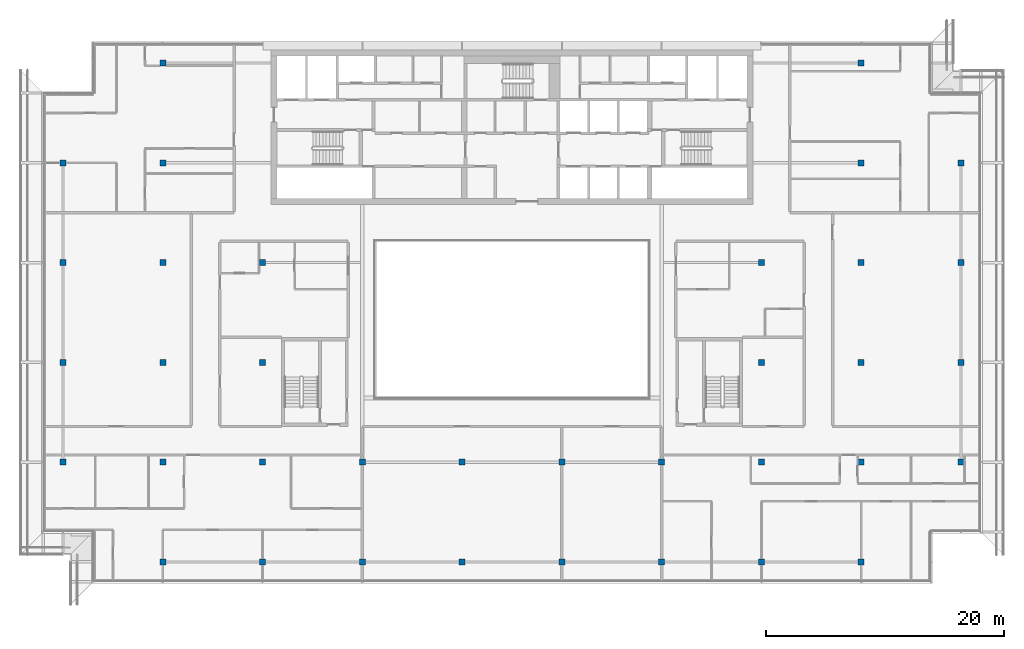
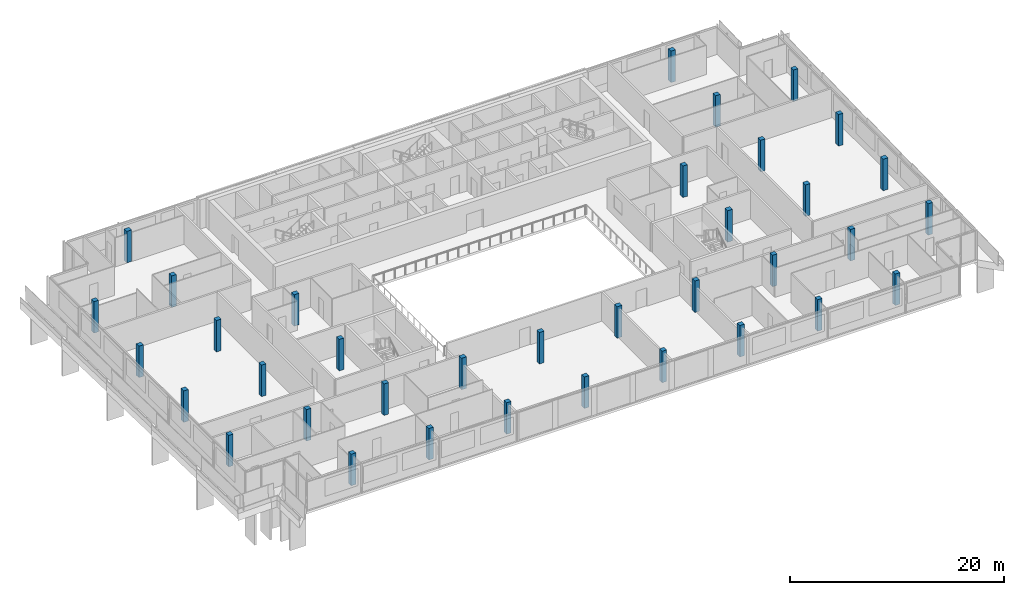
# One storey, part 1 of 27: 36 columns.
"""IFC4 building model written with IfcOpenShell, lengths in metres."""

from ifc_helpers import new_model, si_unit, direction, frame, origin, origin_2d, place, context, subcontext, project, spatial, rectangle, extrude, material, material_profile, profile_set, type_object, element, save


model = new_model("IFC4")

# Units and contexts
model_context = context("Model", 3, precision=1e-05, world=origin(), true_north=direction((0.0, 1.0)))
body_context = subcontext(model_context, "Body", "Model", "MODEL_VIEW")
ifc_project = project(units=[si_unit("LENGTHUNIT", "METRE"), si_unit("AREAUNIT", "SQUARE_METRE"), si_unit("VOLUMEUNIT", "CUBIC_METRE"), si_unit("PLANEANGLEUNIT", "RADIAN"), si_unit("MASSUNIT", "GRAM", prefix="KILO")], contexts=[model_context])

# Site, building, storey
site_placement = place(None, origin())
site = spatial("IfcSite", under=ifc_project, at=site_placement, CompositionType="ELEMENT")
building_placement = place(site_placement, origin())
building = spatial("IfcBuilding", under=site, at=building_placement, Name="Saffron Gate Tower", CompositionType="ELEMENT")
storey_placement = place(building_placement, frame((0.0, 0.0, 267.14990234375)))
storey = spatial("IfcBuildingStorey", under=building, at=storey_placement, Name="L64", CompositionType="ELEMENT", Elevation=267.14990234375)

# Columns
ifc_material = material(Name="Concrete C40", Category="concrete")
ifc_material_profile = material_profile(ifc_material, rectangle(XDim=0.5, YDim=0.5, at=origin_2d()))
ifc_profile_set = profile_set([ifc_material_profile], Name="Concrete C40")
column_type = type_object("IfcColumnType", Name="C1 RC 500x500 CONCRETE C40", PredefinedType="COLUMN", material=ifc_profile_set)
for number, where, z_axis, x_axis, name in (
    (1, (49.800048828125, 40.199951171875, 0.0), (0.0, 0.0, 1.0), (1.0, 0.0, 0.0), "C1 COLUMN X1-B"),
    (2, (49.800048828125, 48.60009765625, 0.0), (0.0, 0.0, 1.0), (1.0, 0.0, 0.0), "C1 COLUMN X1-C"),
    (3, (49.800048828125, 57.0, 0.0), (0.0, 0.0, 1.0), (1.0, 0.0, 0.0), "C1 COLUMN X1-D"),
    (4, (49.800048828125, 65.39990234375, 0.0), (0.0, 0.0, 1.0), (1.0, 0.0, 0.0), "C1 COLUMN X1-E"),
    (5, (58.199951171875, 31.800048828125, 0.0), (0.0, 0.0, 1.0), (1.0, 0.0, 0.0), "C1 COLUMN X2-A"),
    (6, (58.199951171875, 40.199951171875, 0.0), (0.0, 0.0, 1.0), (1.0, 0.0, 0.0), "C1 COLUMN X2-B"),
    (7, (58.199951171875, 48.60009765625, 0.0), (0.0, 0.0, 1.0), (1.0, 0.0, 0.0), "C1 COLUMN X2-C"),
    (8, (58.199951171875, 57.0, 0.0), (0.0, 0.0, 1.0), (1.0, 0.0, 0.0), "C1 COLUMN X2-D"),
    (9, (58.199951171875, 65.39990234375, 0.0), (0.0, 0.0, 1.0), (1.0, 0.0, 0.0), "C1 COLUMN X2-E"),
    (10, (58.199951171875, 73.800048828125, 0.0), (0.0, 0.0, 1.0), (1.0, 0.0, 0.0), "C1 COLUMN X2-F"),
    (11, (66.60009765625, 31.800048828125, 0.0), (0.0, 0.0, 1.0), (1.0, 0.0, 0.0), "C1 COLUMN X3-A"),
    (12, (66.60009765625, 40.199951171875, 0.0), (0.0, 0.0, 1.0), (1.0, 0.0, 0.0), "C1 COLUMN X3-B"),
    (13, (66.60009765625, 48.60009765625, 0.0), (0.0, 0.0, 1.0), (1.0, 0.0, 0.0), "C1 COLUMN X3-C"),
    (14, (66.60009765625, 57.0, 0.0), (0.0, 0.0, 1.0), (1.0, 0.0, 0.0), "C1 COLUMN X3-D"),
    (15, (75.0, 31.800048828125, 0.0), (0.0, 0.0, 1.0), (1.0, 0.0, 0.0), "C1 COLUMN X4-A"),
    (16, (75.0, 40.199951171875, 0.0), (0.0, 0.0, 1.0), (1.0, 0.0, 0.0), "C1 COLUMN X4-B"),
    (17, (83.39990234375, 31.800048828125, 0.0), (0.0, 0.0, 1.0), (1.0, 0.0, 0.0), "C1 COLUMN X5-A"),
    (18, (83.39990234375, 40.199951171875, 0.0), (0.0, 0.0, 1.0), (1.0, 0.0, 0.0), "C1 COLUMN X5-B"),
    (19, (91.800048828125, 31.800048828125, 0.0), (0.0, 0.0, 1.0), (1.0, 0.0, 0.0), "C1 COLUMN X6-A"),
    (20, (91.800048828125, 40.199951171875, 0.0), (0.0, 0.0, 1.0), (1.0, 0.0, 0.0), "C1 COLUMN X6-B"),
    (21, (100.199951171875, 31.800048828125, 0.0), (0.0, 0.0, 1.0), (1.0, 0.0, 0.0), "C1 COLUMN X7-A"),
    (22, (100.199951171875, 40.199951171875, 0.0), (0.0, 0.0, 1.0), (1.0, 0.0, 0.0), "C1 COLUMN X7-B"),
    (23, (108.60009765625, 31.800048828125, 0.0), (0.0, 0.0, 1.0), (1.0, 0.0, 0.0), "C1 COLUMN X8-A"),
    (24, (108.60009765625, 40.199951171875, 0.0), (0.0, 0.0, 1.0), (1.0, 0.0, 0.0), "C1 COLUMN X8-B"),
    (25, (108.60009765625, 48.60009765625, 0.0), (0.0, 0.0, 1.0), (1.0, 0.0, 0.0), "C1 COLUMN X8-C"),
    (26, (108.60009765625, 57.0, 0.0), (0.0, 0.0, 1.0), (1.0, 0.0, 0.0), "C1 COLUMN X8-D"),
    (27, (117.0, 31.800048828125, 0.0), (0.0, 0.0, 1.0), (1.0, 0.0, 0.0), "C1 COLUMN X9-A"),
    (28, (117.0, 40.199951171875, 0.0), (0.0, 0.0, 1.0), (1.0, 0.0, 0.0), "C1 COLUMN X9-B"),
    (29, (117.0, 48.60009765625, 0.0), (0.0, 0.0, 1.0), (1.0, 0.0, 0.0), "C1 COLUMN X9-C"),
    (30, (117.0, 57.0, 0.0), (0.0, 0.0, 1.0), (1.0, 0.0, 0.0), "C1 COLUMN X9-D"),
    (31, (117.0, 65.39990234375, 0.0), (0.0, 0.0, 1.0), (1.0, 0.0, 0.0), "C1 COLUMN X9-E"),
    (32, (117.0, 73.800048828125, 0.0), (0.0, 0.0, 1.0), (1.0, 0.0, 0.0), "C1 COLUMN X9-F"),
    (33, (125.39990234375, 40.199951171875, 0.0), (0.0, 0.0, 1.0), (1.0, 0.0, 0.0), "C1 COLUMN X10-B"),
    (34, (125.39990234375, 48.60009765625, 0.0), (0.0, 0.0, 1.0), (1.0, 0.0, 0.0), "C1 COLUMN X10-C"),
    (35, (125.39990234375, 57.0, 0.0), (0.0, 0.0, 1.0), (1.0, 0.0, 0.0), "C1 COLUMN X10-D"),
    (36, (125.39990234375, 65.39990234375, 0.0), (0.0, 0.0, 1.0), (1.0, 0.0, 0.0), "C1 COLUMN X10-E"),
):
    element("IfcColumn", number, at=place(storey_placement, frame(where, z_axis=z_axis, x_axis=x_axis)), inside=storey, type_object=column_type, Name=name, PredefinedType="COLUMN", context=body_context, shape_type="SweptSolid", body=[
        extrude(rectangle(XDim=0.5, YDim=0.5, at=origin_2d()), origin(), (0.0, 0.0, 1.0), 3.60009765625),
    ])

save(model, "model.ifc")
